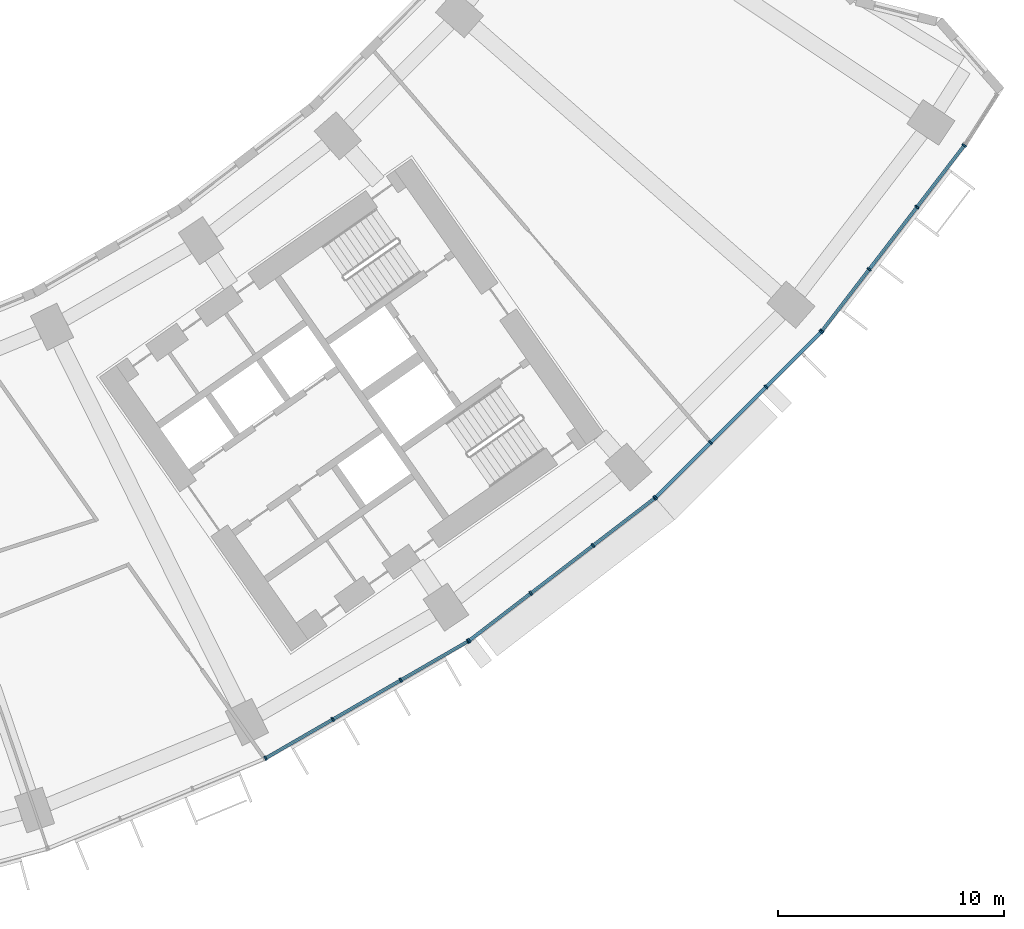
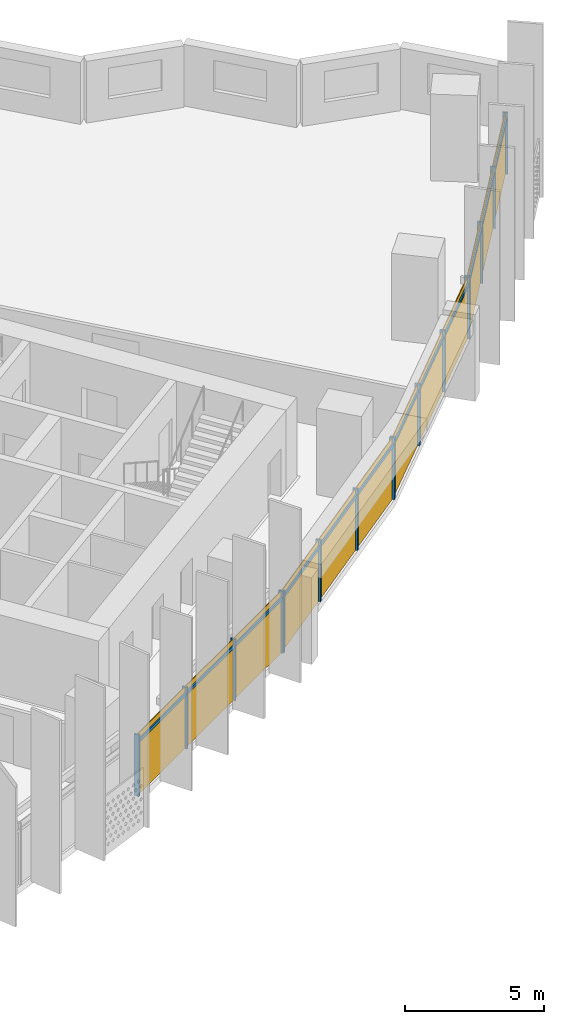
# One storey, part 24 of 32: 28 members, 4 curtain walls.
"""IFC4 building model written with IfcOpenShell, lengths in metres."""

from ifc_helpers import new_model, si_unit, direction, frame, origin, origin_2d, place, context, subcontext, project, spatial, rectangle, extrude, material, material_profile, profile_set, type_object, element, aggregate, save


model = new_model("IFC4")

# Units and contexts
model_context = context("Model", 3, precision=1e-05, world=origin(), true_north=direction((0.0, 1.0)))
body_context = subcontext(model_context, "Body", "Model", "MODEL_VIEW")
ifc_project = project(units=[si_unit("LENGTHUNIT", "METRE"), si_unit("AREAUNIT", "SQUARE_METRE"), si_unit("VOLUMEUNIT", "CUBIC_METRE"), si_unit("PLANEANGLEUNIT", "RADIAN"), si_unit("MASSUNIT", "GRAM", prefix="KILO")], contexts=[model_context])

# Member
ifc_material = material(Name="Aluminium 6063-T6 anodised", Category="aluminium")
ifc_material_profile_1 = material_profile(ifc_material, rectangle(XDim=0.199951171875, YDim=0.070068359375, at=origin_2d()))
ifc_profile_set_1 = profile_set([ifc_material_profile_1], Name="Aluminium 6063-T6 anodised")
member_type_1 = type_object("IfcMemberType", Name="Mullion 70 x 200 aluminium", PredefinedType="MULLION", material=ifc_profile_set_1)
site_placement = place(None, origin())
building_placement = place(site_placement, origin())
storey_placement = place(building_placement, frame((0.0, 0.0, 70.89990234375)))
member_1_placement = place(storey_placement, frame((35.20849609375, -71.331787109375, 0.0), z_axis=(0.0, 0.0, 1.0), x_axis=(-0.5, 0.866025403784, 0.0)))
member_1 = element("IfcMember", 1, at=member_1_placement, type_object=member_type_1, Name="e-cw1-L14-out12/M00", PredefinedType="MULLION", context=body_context, shape_type="SweptSolid", body=[
    extrude(rectangle(XDim=0.199951171875, YDim=0.070068359375, at=origin_2d()), origin(), (0.0, 0.0, 1.0), 2.7001953125),
])

member_2_placement = place(storey_placement, frame((38.18603515625, -69.61279296875, 0.0), z_axis=(0.0, 0.0, 1.0), x_axis=(-0.5, 0.866025403784, 0.0)))
member_2 = element("IfcMember", 2, at=member_2_placement, type_object=member_type_1, Name="e-cw1-L14-out12/M01", PredefinedType="MULLION", context=body_context, shape_type="SweptSolid", body=[
    extrude(rectangle(XDim=0.199951171875, YDim=0.070068359375, at=origin_2d()), origin(), (0.0, 0.0, 1.0), 2.7001953125),
])

member_3_placement = place(storey_placement, frame((41.193603515625, -67.87646484375, 0.0), z_axis=(0.0, 0.0, 1.0), x_axis=(-0.5, 0.866025403784, 0.0)))
member_3 = element("IfcMember", 3, at=member_3_placement, type_object=member_type_1, Name="e-cw1-L14-out12/M02", PredefinedType="MULLION", context=body_context, shape_type="SweptSolid", body=[
    extrude(rectangle(XDim=0.199951171875, YDim=0.070068359375, at=origin_2d()), origin(), (0.0, 0.0, 1.0), 2.7001953125),
])

member_4_placement = place(storey_placement, frame((44.1708984375, -66.157470703125, 0.0), z_axis=(0.0, 0.0, 1.0), x_axis=(-0.5, 0.866025403784, 0.0)))
member_4 = element("IfcMember", 4, at=member_4_placement, type_object=member_type_1, Name="e-cw1-L14-out12/M03", PredefinedType="MULLION", context=body_context, shape_type="SweptSolid", body=[
    extrude(rectangle(XDim=0.199951171875, YDim=0.070068359375, at=origin_2d()), origin(), (0.0, 0.0, 1.0), 2.7001953125),
])

member_5_placement = place(storey_placement, frame((44.218017578125, -66.1259765625, 0.0), z_axis=(0.0, 0.0, 1.0), x_axis=(-0.608761429009, 0.793353340291, 0.0)))
member_5 = element("IfcMember", 5, at=member_5_placement, type_object=member_type_1, Name="e-cw1-L14-out13/M00", PredefinedType="MULLION", context=body_context, shape_type="SweptSolid", body=[
    extrude(rectangle(XDim=0.199951171875, YDim=0.070068359375, at=origin_2d()), origin(), (0.0, 0.0, 1.0), 2.7001953125),
])

member_6_placement = place(storey_placement, frame((46.945556640625, -64.032958984375, 0.0), z_axis=(0.0, 0.0, 1.0), x_axis=(-0.608761429009, 0.793353340291, 0.0)))
member_6 = element("IfcMember", 6, at=member_6_placement, type_object=member_type_1, Name="e-cw1-L14-out13/M01", PredefinedType="MULLION", context=body_context, shape_type="SweptSolid", body=[
    extrude(rectangle(XDim=0.199951171875, YDim=0.070068359375, at=origin_2d()), origin(), (0.0, 0.0, 1.0), 2.7001953125),
])

member_7_placement = place(storey_placement, frame((49.70068359375, -61.9189453125, 0.0), z_axis=(0.0, 0.0, 1.0), x_axis=(-0.608761429009, 0.793353340291, 0.0)))
member_7 = element("IfcMember", 7, at=member_7_placement, type_object=member_type_1, Name="e-cw1-L14-out13/M02", PredefinedType="MULLION", context=body_context, shape_type="SweptSolid", body=[
    extrude(rectangle(XDim=0.199951171875, YDim=0.070068359375, at=origin_2d()), origin(), (0.0, 0.0, 1.0), 2.7001953125),
])

member_8_placement = place(storey_placement, frame((52.42822265625, -59.825927734375, 0.0), z_axis=(0.0, 0.0, 1.0), x_axis=(-0.608761429009, 0.793353340291, 0.0)))
member_8 = element("IfcMember", 8, at=member_8_placement, type_object=member_type_1, Name="e-cw1-L14-out13/M03", PredefinedType="MULLION", context=body_context, shape_type="SweptSolid", body=[
    extrude(rectangle(XDim=0.199951171875, YDim=0.070068359375, at=origin_2d()), origin(), (0.0, 0.0, 1.0), 2.7001953125),
])

member_9_placement = place(storey_placement, frame((52.470947265625, -59.78857421875, 0.0), z_axis=(0.0, 0.0, 1.0), x_axis=(-0.707106781187, 0.707106781187, 0.0)))
member_9 = element("IfcMember", 9, at=member_9_placement, type_object=member_type_1, Name="e-cw1-L14-out14/M00", PredefinedType="MULLION", context=body_context, shape_type="SweptSolid", body=[
    extrude(rectangle(XDim=0.199951171875, YDim=0.070068359375, at=origin_2d()), origin(), (0.0, 0.0, 1.0), 2.7001953125),
])

member_10_placement = place(storey_placement, frame((54.90185546875, -57.357666015625, 0.0), z_axis=(0.0, 0.0, 1.0), x_axis=(-0.707106781187, 0.707106781187, 0.0)))
member_10 = element("IfcMember", 10, at=member_10_placement, type_object=member_type_1, Name="e-cw1-L14-out14/M01", PredefinedType="MULLION", context=body_context, shape_type="SweptSolid", body=[
    extrude(rectangle(XDim=0.199951171875, YDim=0.070068359375, at=origin_2d()), origin(), (0.0, 0.0, 1.0), 2.7001953125),
])

member_11_placement = place(storey_placement, frame((57.357666015625, -54.90185546875, 0.0), z_axis=(0.0, 0.0, 1.0), x_axis=(-0.707106781187, 0.707106781187, 0.0)))
member_11 = element("IfcMember", 11, at=member_11_placement, type_object=member_type_1, Name="e-cw1-L14-out14/M02", PredefinedType="MULLION", context=body_context, shape_type="SweptSolid", body=[
    extrude(rectangle(XDim=0.199951171875, YDim=0.070068359375, at=origin_2d()), origin(), (0.0, 0.0, 1.0), 2.7001953125),
])

member_12_placement = place(storey_placement, frame((59.78857421875, -52.470947265625, 0.0), z_axis=(0.0, 0.0, 1.0), x_axis=(-0.707106781187, 0.707106781187, 0.0)))
member_12 = element("IfcMember", 12, at=member_12_placement, type_object=member_type_1, Name="e-cw1-L14-out14/M03", PredefinedType="MULLION", context=body_context, shape_type="SweptSolid", body=[
    extrude(rectangle(XDim=0.199951171875, YDim=0.070068359375, at=origin_2d()), origin(), (0.0, 0.0, 1.0), 2.7001953125),
])

member_13_placement = place(storey_placement, frame((59.825927734375, -52.42822265625, 0.0), z_axis=(0.0, 0.0, 1.0), x_axis=(-0.793353340291, 0.608761429009, 0.0)))
member_13 = element("IfcMember", 13, at=member_13_placement, type_object=member_type_1, Name="e-cw1-L14-out15/M00", PredefinedType="MULLION", context=body_context, shape_type="SweptSolid", body=[
    extrude(rectangle(XDim=0.199951171875, YDim=0.070068359375, at=origin_2d()), origin(), (0.0, 0.0, 1.0), 2.7001953125),
])

member_14_placement = place(storey_placement, frame((61.9189453125, -49.70068359375, 0.0), z_axis=(0.0, 0.0, 1.0), x_axis=(-0.793353340291, 0.608761429009, 0.0)))
member_14 = element("IfcMember", 14, at=member_14_placement, type_object=member_type_1, Name="e-cw1-L14-out15/M01", PredefinedType="MULLION", context=body_context, shape_type="SweptSolid", body=[
    extrude(rectangle(XDim=0.199951171875, YDim=0.070068359375, at=origin_2d()), origin(), (0.0, 0.0, 1.0), 2.7001953125),
])

member_15_placement = place(storey_placement, frame((64.032958984375, -46.945556640625, 0.0), z_axis=(0.0, 0.0, 1.0), x_axis=(-0.793353340291, 0.608761429009, 0.0)))
member_15 = element("IfcMember", 15, at=member_15_placement, type_object=member_type_1, Name="e-cw1-L14-out15/M02", PredefinedType="MULLION", context=body_context, shape_type="SweptSolid", body=[
    extrude(rectangle(XDim=0.199951171875, YDim=0.070068359375, at=origin_2d()), origin(), (0.0, 0.0, 1.0), 2.7001953125),
])

member_16_placement = place(storey_placement, frame((66.1259765625, -44.218017578125, 0.0), z_axis=(0.0, 0.0, 1.0), x_axis=(-0.793353340291, 0.608761429009, 0.0)))
member_16 = element("IfcMember", 16, at=member_16_placement, type_object=member_type_1, Name="e-cw1-L14-out15/M03", PredefinedType="MULLION", context=body_context, shape_type="SweptSolid", body=[
    extrude(rectangle(XDim=0.199951171875, YDim=0.070068359375, at=origin_2d()), origin(), (0.0, 0.0, 1.0), 2.7001953125),
])

ifc_material_profile_2 = material_profile(ifc_material, rectangle(XDim=0.139892578125, YDim=0.1201171875, at=origin_2d()))
ifc_profile_set_2 = profile_set([ifc_material_profile_2], Name="Aluminium 6063-T6 anodised")
member_type_2 = type_object("IfcMemberType", Name="Transom 120 x 140 aluminium", PredefinedType="USERDEFINED", material=ifc_profile_set_2)
member_17_placement = place(storey_placement, frame((35.239013671875, -71.314208984375, 2.400146484375), z_axis=(0.866026229868, 0.499998569178, 0.0), x_axis=(-0.499998569178, 0.866026229868, 0.0)))
member_17 = element("IfcMember", 17, at=member_17_placement, type_object=member_type_2, Name="e-cw1-L14-out12/T00", ObjectType="TRANSOM", PredefinedType="USERDEFINED", context=body_context, shape_type="SweptSolid", body=[
    extrude(rectangle(XDim=0.139892578125, YDim=0.1201171875, at=origin_2d()), origin(), (0.0, 0.0, 1.0), 3.36767578125),
])

member_18_placement = place(storey_placement, frame((38.21630859375, -69.595458984375, 2.400146484375), z_axis=(0.866000398227, 0.500043308395, 0.0), x_axis=(-0.500043308395, 0.866000398227, 0.0)))
member_18 = element("IfcMember", 18, at=member_18_placement, type_object=member_type_2, Name="e-cw1-L14-out12/T01", ObjectType="TRANSOM", PredefinedType="USERDEFINED", context=body_context, shape_type="SweptSolid", body=[
    extrude(rectangle(XDim=0.139892578125, YDim=0.1201171875, at=origin_2d()), origin(), (0.0, 0.0, 1.0), 3.403076171875),
])

member_19_placement = place(storey_placement, frame((41.223876953125, -67.85888671875, 2.400146484375), z_axis=(0.866044351828, 0.49996717959, 0.0), x_axis=(-0.49996717959, 0.866044351828, 0.0)))
member_19 = element("IfcMember", 19, at=member_19_placement, type_object=member_type_2, Name="e-cw1-L14-out12/T02", ObjectType="TRANSOM", PredefinedType="USERDEFINED", context=body_context, shape_type="SweptSolid", body=[
    extrude(rectangle(XDim=0.139892578125, YDim=0.1201171875, at=origin_2d()), origin(), (0.0, 0.0, 1.0), 3.367919921875),
])

member_20_placement = place(storey_placement, frame((44.245849609375, -66.1044921875, 2.400146484375), z_axis=(0.793375276742, 0.608732839803, 0.0), x_axis=(-0.608732839803, 0.793375276742, 0.0)))
member_20 = element("IfcMember", 20, at=member_20_placement, type_object=member_type_2, Name="e-cw1-L14-out13/T00", ObjectType="TRANSOM", PredefinedType="USERDEFINED", context=body_context, shape_type="SweptSolid", body=[
    extrude(rectangle(XDim=0.139892578125, YDim=0.1201171875, at=origin_2d()), origin(), (0.0, 0.0, 1.0), 3.36767578125),
])

member_21_placement = place(storey_placement, frame((46.973388671875, -64.01171875, 2.400146484375), z_axis=(0.793356868815, 0.60875683052, 0.0), x_axis=(-0.60875683052, 0.793356868815, 0.0)))
member_21 = element("IfcMember", 21, at=member_21_placement, type_object=member_type_2, Name="e-cw1-L14-out13/T01", ObjectType="TRANSOM", PredefinedType="USERDEFINED", context=body_context, shape_type="SweptSolid", body=[
    extrude(rectangle(XDim=0.139892578125, YDim=0.1201171875, at=origin_2d()), origin(), (0.0, 0.0, 1.0), 3.40283203125),
])

member_22_placement = place(storey_placement, frame((49.728515625, -61.8974609375, 2.400146484375), z_axis=(0.793375276742, 0.608732839803, 0.0), x_axis=(-0.608732839803, 0.793375276742, 0.0)))
member_22 = element("IfcMember", 22, at=member_22_placement, type_object=member_type_2, Name="e-cw1-L14-out13/T02", ObjectType="TRANSOM", PredefinedType="USERDEFINED", context=body_context, shape_type="SweptSolid", body=[
    extrude(rectangle(XDim=0.139892578125, YDim=0.1201171875, at=origin_2d()), origin(), (0.0, 0.0, 1.0), 3.36767578125),
])

member_23_placement = place(storey_placement, frame((52.49560546875, -59.763916015625, 2.400146484375), z_axis=(0.707106781187, 0.707106781187, 0.0), x_axis=(-0.707106781187, 0.707106781187, 0.0)))
member_23 = element("IfcMember", 23, at=member_23_placement, type_object=member_type_2, Name="e-cw1-L14-out14/T00", ObjectType="TRANSOM", PredefinedType="USERDEFINED", context=body_context, shape_type="SweptSolid", body=[
    extrude(rectangle(XDim=0.139892578125, YDim=0.1201171875, at=origin_2d()), origin(), (0.0, 0.0, 1.0), 3.3681640625),
])

member_24_placement = place(storey_placement, frame((54.9267578125, -57.332763671875, 2.400146484375), z_axis=(0.707106781187, 0.707106781187, 0.0), x_axis=(-0.707106781187, 0.707106781187, 0.0)))
member_24 = element("IfcMember", 24, at=member_24_placement, type_object=member_type_2, Name="e-cw1-L14-out14/T01", ObjectType="TRANSOM", PredefinedType="USERDEFINED", context=body_context, shape_type="SweptSolid", body=[
    extrude(rectangle(XDim=0.139892578125, YDim=0.1201171875, at=origin_2d()), origin(), (0.0, 0.0, 1.0), 3.402587890625),
])

member_25_placement = place(storey_placement, frame((57.38232421875, -54.877197265625, 2.400146484375), z_axis=(0.707106781187, 0.707106781187, 0.0), x_axis=(-0.707106781187, 0.707106781187, 0.0)))
member_25 = element("IfcMember", 25, at=member_25_placement, type_object=member_type_2, Name="e-cw1-L14-out14/T02", ObjectType="TRANSOM", PredefinedType="USERDEFINED", context=body_context, shape_type="SweptSolid", body=[
    extrude(rectangle(XDim=0.139892578125, YDim=0.1201171875, at=origin_2d()), origin(), (0.0, 0.0, 1.0), 3.3681640625),
])

member_26_placement = place(storey_placement, frame((59.847412109375, -52.400390625, 2.400146484375), z_axis=(0.608732839803, 0.793375276742, 0.0), x_axis=(-0.793375276742, 0.608732839803, 0.0)))
member_26 = element("IfcMember", 26, at=member_26_placement, type_object=member_type_2, Name="e-cw1-L14-out15/T00", ObjectType="TRANSOM", PredefinedType="USERDEFINED", context=body_context, shape_type="SweptSolid", body=[
    extrude(rectangle(XDim=0.139892578125, YDim=0.1201171875, at=origin_2d()), origin(), (0.0, 0.0, 1.0), 3.36767578125),
])

member_27_placement = place(storey_placement, frame((61.940185546875, -49.673095703125, 2.400146484375), z_axis=(0.60875683052, 0.793356868815, 0.0), x_axis=(-0.793356868815, 0.60875683052, 0.0)))
member_27 = element("IfcMember", 27, at=member_27_placement, type_object=member_type_2, Name="e-cw1-L14-out15/T01", ObjectType="TRANSOM", PredefinedType="USERDEFINED", context=body_context, shape_type="SweptSolid", body=[
    extrude(rectangle(XDim=0.139892578125, YDim=0.1201171875, at=origin_2d()), origin(), (0.0, 0.0, 1.0), 3.40283203125),
])

member_28_placement = place(storey_placement, frame((64.054443359375, -46.917724609375, 2.400146484375), z_axis=(0.608732839803, 0.793375276742, 0.0), x_axis=(-0.793375276742, 0.608732839803, 0.0)))
member_28 = element("IfcMember", 28, at=member_28_placement, type_object=member_type_2, Name="e-cw1-L14-out15/T02", ObjectType="TRANSOM", PredefinedType="USERDEFINED", context=body_context, shape_type="SweptSolid", body=[
    extrude(rectangle(XDim=0.139892578125, YDim=0.1201171875, at=origin_2d()), origin(), (0.0, 0.0, 1.0), 3.36767578125),
])

# Site, building, storey
site = spatial("IfcSite", under=ifc_project, at=site_placement, CompositionType="ELEMENT")
building = spatial("IfcBuilding", under=site, at=building_placement, Name="Qamariyya Broadcast Tower", CompositionType="ELEMENT")
storey = spatial("IfcBuildingStorey", under=building, at=storey_placement, Name="L14", CompositionType="ELEMENT", Elevation=70.89990234375)

# Curtain wall
curtain_wall_type = type_object("IfcCurtainWallType", Name="Unitised curtain wall, anodised aluminium", PredefinedType="NOTDEFINED", material=ifc_material)
curtain_wall_1_placement = place(storey_placement, origin())
curtain_wall_1 = element("IfcCurtainWall", 29, at=curtain_wall_1_placement, inside=storey, type_object=curtain_wall_type, Name="e-cw1-L14-out12", PredefinedType="NOTDEFINED", context=body_context, shape_type="SweptSolid", body=[
    extrude(rectangle(XDim=3.367919921875, YDim=0.031982421875, at=origin_2d()), frame((36.697265625, -70.472412109375, 0.0), x_axis=(0.86602247392, 0.500005074639, 0.0)), (0.0, 0.0, 1.0), 2.340087890625),
    extrude(rectangle(XDim=3.367919921875, YDim=0.031982421875, at=origin_2d()), frame((36.697265625, -70.472412109375, 2.460205078125), x_axis=(0.86602247392, 0.500005074639, 0.0)), (0.0, 0.0, 1.0), 0.239990234375),
    extrude(rectangle(XDim=3.40283203125, YDim=0.031982421875, at=origin_2d()), frame((39.689697265625, -68.74462890625, 0.0), x_axis=(0.86602247392, 0.500005074639, 0.0)), (0.0, 0.0, 1.0), 2.340087890625),
    extrude(rectangle(XDim=3.40283203125, YDim=0.031982421875, at=origin_2d()), frame((39.689697265625, -68.74462890625, 2.460205078125), x_axis=(0.86602247392, 0.500005074639, 0.0)), (0.0, 0.0, 1.0), 0.239990234375),
    extrude(rectangle(XDim=3.367919921875, YDim=0.031982421875, at=origin_2d()), frame((42.68212890625, -67.016845703125, 0.0), x_axis=(0.86602247392, 0.500005074639, 0.0)), (0.0, 0.0, 1.0), 2.340087890625),
    extrude(rectangle(XDim=3.367919921875, YDim=0.031982421875, at=origin_2d()), frame((42.68212890625, -67.016845703125, 2.460205078125), x_axis=(0.86602247392, 0.500005074639, 0.0)), (0.0, 0.0, 1.0), 0.239990234375),
])

aggregate(curtain_wall_1, [member_1, member_2, member_3, member_4, member_17, member_18, member_19])

curtain_wall_2_placement = place(storey_placement, origin())
curtain_wall_2 = element("IfcCurtainWall", 30, at=curtain_wall_2_placement, inside=storey, type_object=curtain_wall_type, Name="e-cw1-L14-out13", PredefinedType="NOTDEFINED", context=body_context, shape_type="SweptSolid", body=[
    extrude(rectangle(XDim=3.367919921875, YDim=0.031982421875, at=origin_2d()), frame((45.581787109375, -65.07958984375, 0.0), x_axis=(0.79335775203, 0.608755679475, 0.0)), (0.0, 0.0, 1.0), 2.340087890625),
    extrude(rectangle(XDim=3.367919921875, YDim=0.031982421875, at=origin_2d()), frame((45.581787109375, -65.07958984375, 2.460205078125), x_axis=(0.79335775203, 0.608755679475, 0.0)), (0.0, 0.0, 1.0), 0.239990234375),
    extrude(rectangle(XDim=3.40283203125, YDim=0.031982421875, at=origin_2d()), frame((48.3232421875, -62.97607421875, 0.0), x_axis=(0.79335775203, 0.608755679475, 0.0)), (0.0, 0.0, 1.0), 2.340087890625),
    extrude(rectangle(XDim=3.40283203125, YDim=0.031982421875, at=origin_2d()), frame((48.3232421875, -62.97607421875, 2.460205078125), x_axis=(0.79335775203, 0.608755679475, 0.0)), (0.0, 0.0, 1.0), 0.239990234375),
    extrude(rectangle(XDim=3.367919921875, YDim=0.031982421875, at=origin_2d()), frame((51.064453125, -60.872314453125, 0.0), x_axis=(0.79335775203, 0.608755679475, 0.0)), (0.0, 0.0, 1.0), 2.340087890625),
    extrude(rectangle(XDim=3.367919921875, YDim=0.031982421875, at=origin_2d()), frame((51.064453125, -60.872314453125, 2.460205078125), x_axis=(0.79335775203, 0.608755679475, 0.0)), (0.0, 0.0, 1.0), 0.239990234375),
])

aggregate(curtain_wall_2, [member_5, member_6, member_7, member_8, member_20, member_21, member_22])

curtain_wall_3_placement = place(storey_placement, origin())
curtain_wall_3 = element("IfcCurtainWall", 31, at=curtain_wall_3_placement, inside=storey, type_object=curtain_wall_type, Name="e-cw1-L14-out14", PredefinedType="NOTDEFINED", context=body_context, shape_type="SweptSolid", body=[
    extrude(rectangle(XDim=3.367919921875, YDim=0.031982421875, at=origin_2d()), frame((53.6865234375, -58.572998046875, 0.0), x_axis=(0.707106781187, 0.707106781187, 0.0)), (0.0, 0.0, 1.0), 2.340087890625),
    extrude(rectangle(XDim=3.367919921875, YDim=0.031982421875, at=origin_2d()), frame((53.6865234375, -58.572998046875, 2.460205078125), x_axis=(0.707106781187, 0.707106781187, 0.0)), (0.0, 0.0, 1.0), 0.239990234375),
    extrude(rectangle(XDim=3.40283203125, YDim=0.031982421875, at=origin_2d()), frame((56.1298828125, -56.1298828125, 0.0), x_axis=(0.707106781187, 0.707106781187, 0.0)), (0.0, 0.0, 1.0), 2.340087890625),
    extrude(rectangle(XDim=3.40283203125, YDim=0.031982421875, at=origin_2d()), frame((56.1298828125, -56.1298828125, 2.460205078125), x_axis=(0.707106781187, 0.707106781187, 0.0)), (0.0, 0.0, 1.0), 0.239990234375),
    extrude(rectangle(XDim=3.367919921875, YDim=0.031982421875, at=origin_2d()), frame((58.572998046875, -53.6865234375, 0.0), x_axis=(0.707106781187, 0.707106781187, 0.0)), (0.0, 0.0, 1.0), 2.340087890625),
    extrude(rectangle(XDim=3.367919921875, YDim=0.031982421875, at=origin_2d()), frame((58.572998046875, -53.6865234375, 2.460205078125), x_axis=(0.707106781187, 0.707106781187, 0.0)), (0.0, 0.0, 1.0), 0.239990234375),
])

aggregate(curtain_wall_3, [member_9, member_10, member_11, member_12, member_23, member_24, member_25])

curtain_wall_4_placement = place(storey_placement, origin())
curtain_wall_4 = element("IfcCurtainWall", 32, at=curtain_wall_4_placement, inside=storey, type_object=curtain_wall_type, Name="e-cw1-L14-out15", PredefinedType="NOTDEFINED", context=body_context, shape_type="SweptSolid", body=[
    extrude(rectangle(XDim=3.367919921875, YDim=0.031982421875, at=origin_2d()), frame((60.872314453125, -51.064453125, 0.0), x_axis=(0.608755679475, 0.79335775203, 0.0)), (0.0, 0.0, 1.0), 2.340087890625),
    extrude(rectangle(XDim=3.367919921875, YDim=0.031982421875, at=origin_2d()), frame((60.872314453125, -51.064453125, 2.460205078125), x_axis=(0.608755679475, 0.79335775203, 0.0)), (0.0, 0.0, 1.0), 0.239990234375),
    extrude(rectangle(XDim=3.40283203125, YDim=0.031982421875, at=origin_2d()), frame((62.97607421875, -48.3232421875, 0.0), x_axis=(0.608755679475, 0.79335775203, 0.0)), (0.0, 0.0, 1.0), 2.340087890625),
    extrude(rectangle(XDim=3.40283203125, YDim=0.031982421875, at=origin_2d()), frame((62.97607421875, -48.3232421875, 2.460205078125), x_axis=(0.608755679475, 0.79335775203, 0.0)), (0.0, 0.0, 1.0), 0.239990234375),
    extrude(rectangle(XDim=3.367919921875, YDim=0.031982421875, at=origin_2d()), frame((65.07958984375, -45.581787109375, 0.0), x_axis=(0.608755679475, 0.79335775203, 0.0)), (0.0, 0.0, 1.0), 2.340087890625),
    extrude(rectangle(XDim=3.367919921875, YDim=0.031982421875, at=origin_2d()), frame((65.07958984375, -45.581787109375, 2.460205078125), x_axis=(0.608755679475, 0.79335775203, 0.0)), (0.0, 0.0, 1.0), 0.239990234375),
])

aggregate(curtain_wall_4, [member_13, member_14, member_15, member_16, member_26, member_27, member_28])

save(model, "model.ifc")
